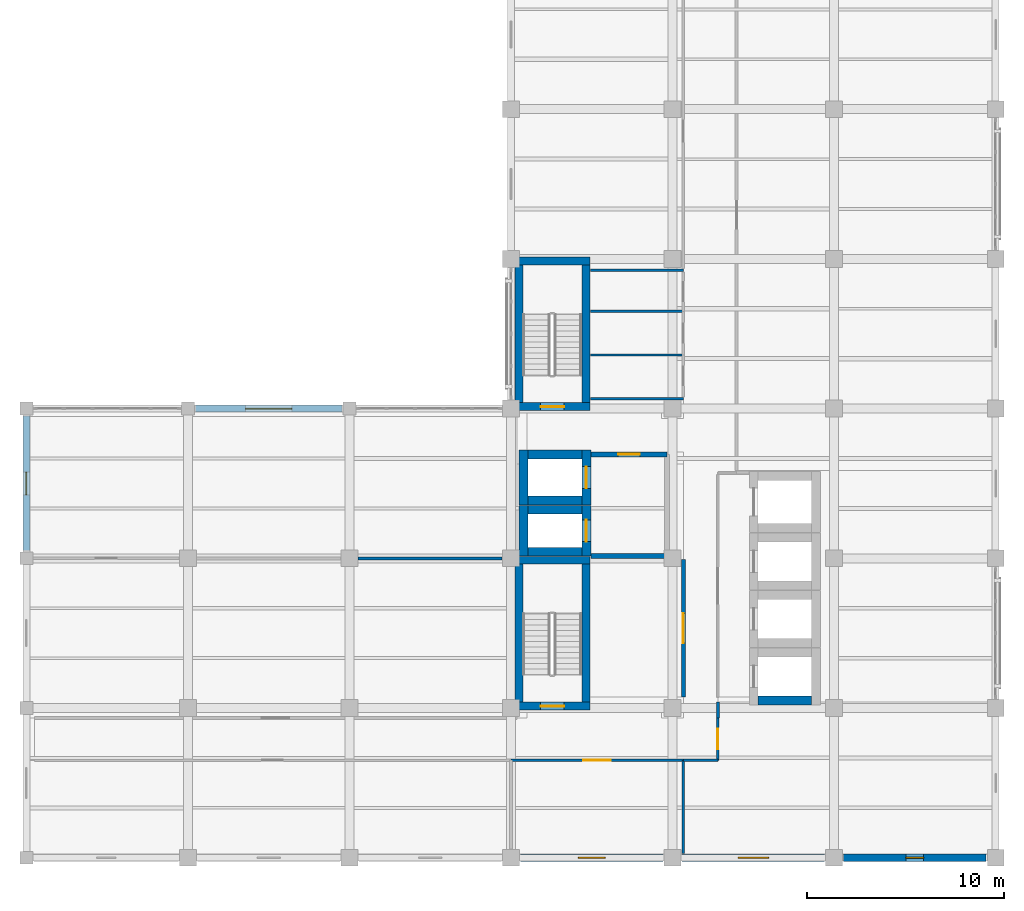
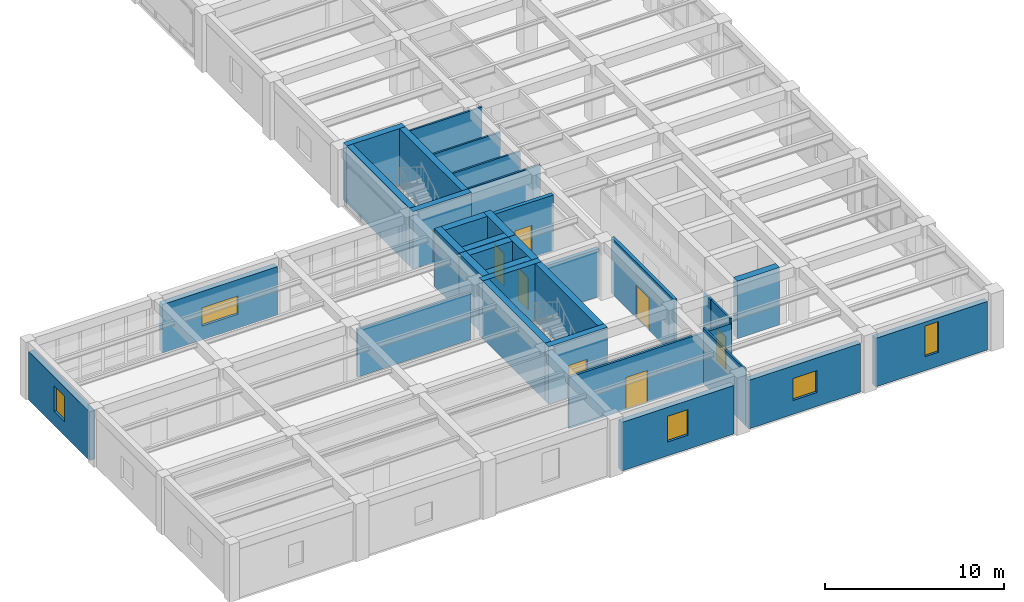
# One storey, part 9 of 16: 35 walls, 8 doors, 5 windows, 13 openings.
"""IFC4 building model written with IfcOpenShell, lengths in metres."""

from ifc_helpers import new_model, si_unit, direction, frame, frame_2d, origin, place, context, subcontext, project, spatial, rectangle, extrude, material, layer, layer_set, type_object, element, fill, save


model = new_model("IFC4")

# Units and contexts
model_context = context("Model", 3, precision=1e-05, world=origin(), true_north=direction((0.0, 1.0)))
body_context = subcontext(model_context, "Body", "Model", "MODEL_VIEW")
ifc_project = project(units=[si_unit("LENGTHUNIT", "METRE"), si_unit("AREAUNIT", "SQUARE_METRE"), si_unit("VOLUMEUNIT", "CUBIC_METRE"), si_unit("PLANEANGLEUNIT", "RADIAN"), si_unit("MASSUNIT", "GRAM", prefix="KILO")], contexts=[model_context])

# Site, building, storey
site_placement = place(None, origin())
site = spatial("IfcSite", under=ifc_project, at=site_placement, CompositionType="ELEMENT")
building_placement = place(site_placement, origin())
building = spatial("IfcBuilding", under=site, at=building_placement, Name="Qandaris Square Conservatory and Botanical Centre", CompositionType="ELEMENT")
storey_placement = place(building_placement, frame((0.0, 0.0, 24.0)))
storey = spatial("IfcBuildingStorey", under=building, at=storey_placement, Name="L05", CompositionType="ELEMENT", Elevation=24.0)

# Wall, opening, door
ifc_material_1 = material(Name="Gypsum Plasterboard", Category="gypsum")
ifc_layer_1 = layer(ifc_material_1, 0.14990234375)
ifc_layer_set_1 = layer_set([ifc_layer_1], Name="Gypsum Plasterboard")
wall_type_1 = type_object("IfcWallType", Name="Acoustic Laboratory Partition 150mm", PredefinedType="PARTITIONING", material=ifc_layer_set_1)
wall_1_placement = place(storey_placement, frame((147.949951171875, 21.550048828125, 0.0), z_axis=(0.0, 0.0, 1.0), x_axis=(-1.0, 0.0, 0.0)))
wall_1 = element("IfcWall", 1, at=wall_1_placement, inside=storey, type_object=wall_type_1, Name="Interior Partition IW-L05-0223", PredefinedType="PARTITIONING", context=body_context, shape_type="SweptSolid", body=[
    extrude(rectangle(XDim=8.75, YDim=0.14990234375, at=frame_2d((4.375, 0.0))), origin(), (0.0, 0.0, 1.0), 3.5048828125),
])
opening_1_placement = place(wall_1_placement, frame((3.675048828125, 0.0, 0.0)))
opening_1 = element("IfcOpeningElement", 2, at=opening_1_placement, cuts=wall_1, Name="Opening D-LAB1", PredefinedType="OPENING", context=body_context, shape_type="SweptSolid", body=[
    extrude(rectangle(XDim=1.39990234375, YDim=2.199951171875, at=frame_2d((0.699951171875, 1.10009765625))), frame((0.0, 0.0869140625, 0.0), z_axis=(0.0, -1.0, 0.0), x_axis=(1.0, 0.0, 0.0)), (0.0, 0.0, 1.0), 0.173828125),
])
ifc_material_2 = material(Name="Engineered Oak Timber", Category="wood")
door_type_1 = type_object("IfcDoorType", Name="Research Laboratory Leaf-and-Half Door 1400x2200", OperationType="DOUBLE_DOOR_SINGLE_SWING", PredefinedType="DOOR", material=ifc_material_2)
door_1_placement = place(opening_1_placement, frame((1.39990234375, 0.0, 0.0), z_axis=(0.0, 0.0, 1.0), x_axis=(-1.0, 0.0, 0.0)))
door_1 = element("IfcDoor", 3, at=door_1_placement, inside=storey, type_object=door_type_1, Name="DR-0200 Sabkha Ecology Suite Door", OperationType="DOUBLE_DOOR_SINGLE_SWING", OverallHeight=2.199951171875, OverallWidth=1.39990234375, PredefinedType="DOOR", context=body_context, shape_type="SweptSolid", body=[
    extrude(rectangle(XDim=1.39990234375, YDim=2.199951171875, at=frame_2d((0.699951171875, 1.10009765625))), frame((0.0, 0.02490234375, 0.0), z_axis=(0.0, -1.0, 0.0), x_axis=(1.0, 0.0, 0.0)), (0.0, 0.0, 1.0), 0.050048828125),
])
fill(opening_1, door_1)

# Walls
wall_2_placement = place(storey_placement, frame((149.699951171875, 24.5, 0.0), z_axis=(0.0, 0.0, 1.0), x_axis=(0.0, -1.0, 0.0)))
element("IfcWall", 4, at=wall_2_placement, inside=storey, type_object=wall_type_1, Name="Interior Partition IW-L05-0224", PredefinedType="PARTITIONING", context=body_context, shape_type="SweptSolid", body=[
    extrude(rectangle(XDim=0.800048828125, YDim=0.14990234375, at=frame_2d((0.39990234375, 0.0))), origin(), (0.0, 0.0, 1.0), 3.804931640625),
])
wall_3_placement = place(storey_placement, frame((149.699951171875, 21.550048828125, 0.0), z_axis=(0.0, 0.0, 1.0), x_axis=(-1.0, 0.0, 0.0)))
element("IfcWall", 5, at=wall_3_placement, inside=storey, type_object=wall_type_1, Name="Interior Partition IW-L05-0226", PredefinedType="PARTITIONING", context=body_context, shape_type="SweptSolid", body=[
    extrude(rectangle(XDim=1.75, YDim=0.14990234375, at=frame_2d((0.875, 0.0))), origin(), (0.0, 0.0, 1.0), 3.5048828125),
])
wall_4_placement = place(storey_placement, frame((131.445068359375, 31.800048828125, 0.0), z_axis=(0.0, 0.0, 1.0), x_axis=(1.0, 0.0, 0.0)))
element("IfcWall", 6, at=wall_4_placement, inside=storey, type_object=wall_type_1, Name="Interior Partition IW-L05-0240", PredefinedType="PARTITIONING", context=body_context, shape_type="SweptSolid", body=[
    extrude(rectangle(XDim=7.309814453125, YDim=0.14990234375, at=frame_2d((3.65478515625, 0.0))), origin(), (0.0, 0.0, 1.0), 3.264892578125),
])

# Wall, opening, window
ifc_material_3 = material(Name="Precast concrete C40/50", Category="concrete")
ifc_layer_2 = layer(ifc_material_3, 0.360107421875)
ifc_layer_set_2 = layer_set([ifc_layer_2], Name="Precast concrete C40/50")
wall_type_2 = type_object("IfcWallType", Name="Architectural Precast Cladding Wall 360mm", PredefinedType="SOLIDWALL", material=ifc_layer_set_2)
wall_5_placement = place(storey_placement, frame((139.68505859375, 16.60009765625, 0.0), z_axis=(0.0, 0.0, 1.0), x_axis=(1.0, 0.0, 0.0)))
wall_5 = element("IfcWall", 7, at=wall_5_placement, inside=storey, type_object=wall_type_2, Name="Exterior Wall EW-TWR-L05-1-4", PredefinedType="SOLIDWALL", context=body_context, shape_type="SweptSolid", body=[
    extrude(rectangle(XDim=7.22998046875, YDim=0.360107421875, at=frame_2d((3.614990234375, 0.0))), origin(), (0.0, 0.0, 1.0), 3.31494140625),
])
opening_2_placement = place(wall_5_placement, frame((2.93994140625, 0.0, 0.949951171875)))
opening_2 = element("IfcOpeningElement", 8, at=opening_2_placement, cuts=wall_5, Name="Opening WN-23", PredefinedType="OPENING", context=body_context, shape_type="SweptSolid", body=[
    extrude(rectangle(XDim=1.35009765625, YDim=1.75, at=frame_2d((0.675048828125, 0.875))), frame((0.0, 0.19189453125, 0.0), z_axis=(0.0, -1.0, 0.0), x_axis=(1.0, 0.0, 0.0)), (0.0, 0.0, 1.0), 0.384033203125),
])
ifc_material_4 = material(Name="Tempered Low-E Glass", Category="glass")
window_type_1 = type_object("IfcWindowType", Name="Solar Control Window 1350x1750", PartitioningType="SINGLE_PANEL", PredefinedType="WINDOW", material=ifc_material_4)
window_1_placement = place(opening_2_placement, origin())
window_1 = element("IfcWindow", 9, at=window_1_placement, inside=storey, type_object=window_type_1, Name="Window EW-TWR-L05-1-4", OverallHeight=1.75, OverallWidth=1.35009765625, PartitioningType="SINGLE_PANEL", PredefinedType="WINDOW", context=body_context, shape_type="SweptSolid", body=[
    extrude(rectangle(XDim=1.35009765625, YDim=1.75, at=frame_2d((0.675048828125, 0.875))), frame((0.0, 0.030029296875, 0.0), z_axis=(0.0, -1.0, 0.0), x_axis=(1.0, 0.0, 0.0)), (0.0, 0.0, 1.0), 0.06005859375),
])
fill(opening_2, window_1)

wall_6_placement = place(storey_placement, frame((147.885009765625, 16.60009765625, 0.0), z_axis=(0.0, 0.0, 1.0), x_axis=(1.0, 0.0, 0.0)))
wall_6 = element("IfcWall", 10, at=wall_6_placement, inside=storey, type_object=wall_type_2, Name="Exterior Wall EW-TWR-L05-1-5", PredefinedType="SOLIDWALL", context=body_context, shape_type="SweptSolid", body=[
    extrude(rectangle(XDim=7.22998046875, YDim=0.360107421875, at=frame_2d((3.614990234375, 0.0))), origin(), (0.0, 0.0, 1.0), 3.31494140625),
])
opening_3_placement = place(wall_6_placement, frame((2.840087890625, 0.0, 0.949951171875)))
opening_3 = element("IfcOpeningElement", 11, at=opening_3_placement, cuts=wall_6, Name="Opening WN-26", PredefinedType="OPENING", context=body_context, shape_type="SweptSolid", body=[
    extrude(rectangle(XDim=1.550048828125, YDim=1.5, at=frame_2d((0.77490234375, 0.75))), frame((0.0, 0.19189453125, 0.0), z_axis=(0.0, -1.0, 0.0), x_axis=(1.0, 0.0, 0.0)), (0.0, 0.0, 1.0), 0.384033203125),
])
window_type_2 = type_object("IfcWindowType", Name="Solar Control Window 1550x1500", PartitioningType="DOUBLE_PANEL_VERTICAL", PredefinedType="WINDOW", material=ifc_material_4)
window_2_placement = place(opening_3_placement, origin())
window_2 = element("IfcWindow", 12, at=window_2_placement, inside=storey, type_object=window_type_2, Name="Window EW-TWR-L05-1-5", OverallHeight=1.5, OverallWidth=1.550048828125, PartitioningType="DOUBLE_PANEL_VERTICAL", PredefinedType="WINDOW", context=body_context, shape_type="SweptSolid", body=[
    extrude(rectangle(XDim=1.550048828125, YDim=1.5, at=frame_2d((0.77490234375, 0.75))), frame((0.0, 0.030029296875, 0.0), z_axis=(0.0, -1.0, 0.0), x_axis=(1.0, 0.0, 0.0)), (0.0, 0.0, 1.0), 0.06005859375),
])
fill(opening_3, window_2)

wall_7_placement = place(storey_placement, frame((156.0849609375, 16.60009765625, 0.0), z_axis=(0.0, 0.0, 1.0), x_axis=(1.0, 0.0, 0.0)))
wall_7 = element("IfcWall", 13, at=wall_7_placement, inside=storey, type_object=wall_type_2, Name="Exterior Wall EW-TWR-L05-1-6", PredefinedType="SOLIDWALL", context=body_context, shape_type="SweptSolid", body=[
    extrude(rectangle(XDim=7.22998046875, YDim=0.360107421875, at=frame_2d((3.614990234375, 0.0))), origin(), (0.0, 0.0, 1.0), 3.31494140625),
])
opening_4_placement = place(wall_7_placement, frame((3.1650390625, 0.0, 0.949951171875)))
opening_4 = element("IfcOpeningElement", 14, at=opening_4_placement, cuts=wall_7, Name="Opening WN-01", PredefinedType="OPENING", context=body_context, shape_type="SweptSolid", body=[
    extrude(rectangle(XDim=0.89990234375, YDim=2.10009765625, at=frame_2d((0.449951171875, 1.050048828125))), frame((0.0, 0.19189453125, 0.0), z_axis=(0.0, -1.0, 0.0), x_axis=(1.0, 0.0, 0.0)), (0.0, 0.0, 1.0), 0.384033203125),
])
window_type_3 = type_object("IfcWindowType", Name="Deep-Set Solar Slot Window 900x2100", PartitioningType="SINGLE_PANEL", PredefinedType="WINDOW", material=ifc_material_4)
window_3_placement = place(opening_4_placement, origin())
window_3 = element("IfcWindow", 15, at=window_3_placement, inside=storey, type_object=window_type_3, Name="Window EW-TWR-L05-1-6", OverallHeight=2.10009765625, OverallWidth=0.89990234375, PartitioningType="SINGLE_PANEL", PredefinedType="WINDOW", context=body_context, shape_type="SweptSolid", body=[
    extrude(rectangle(XDim=0.89990234375, YDim=2.10009765625, at=frame_2d((0.449951171875, 1.050048828125))), frame((0.0, 0.030029296875, 0.0), z_axis=(0.0, -1.0, 0.0), x_axis=(1.0, 0.0, 0.0)), (0.0, 0.0, 1.0), 0.06005859375),
])
fill(opening_4, window_3)

wall_8_placement = place(storey_placement, frame((130.614990234375, 39.39990234375, 0.0), z_axis=(0.0, 0.0, 1.0), x_axis=(-1.0, 0.0, 0.0)))
wall_8 = element("IfcWall", 16, at=wall_8_placement, inside=storey, type_object=wall_type_2, Name="Exterior Wall EW-TWR-L05-5-2", PredefinedType="SOLIDWALL", context=body_context, shape_type="SweptSolid", body=[
    extrude(rectangle(XDim=7.429931640625, YDim=0.360107421875, at=frame_2d((3.71484375, 0.0))), origin(), (0.0, 0.0, 1.0), 3.31494140625),
])
opening_5_placement = place(wall_8_placement, frame((2.5400390625, 0.0, 0.949951171875)))
opening_5 = element("IfcOpeningElement", 17, at=opening_5_placement, cuts=wall_8, Name="Opening WN-37", PredefinedType="OPENING", context=body_context, shape_type="SweptSolid", body=[
    extrude(rectangle(XDim=2.35009765625, YDim=1.25, at=frame_2d((1.175048828125, 0.625))), frame((0.0, 0.19189453125, 0.0), z_axis=(0.0, -1.0, 0.0), x_axis=(1.0, 0.0, 0.0)), (0.0, 0.0, 1.0), 0.384033203125),
])
window_type_4 = type_object("IfcWindowType", Name="Solar Control Window 2350x1250", PartitioningType="DOUBLE_PANEL_VERTICAL", PredefinedType="WINDOW", material=ifc_material_4)
window_4_placement = place(opening_5_placement, origin())
window_4 = element("IfcWindow", 18, at=window_4_placement, inside=storey, type_object=window_type_4, Name="Window EW-TWR-L05-5-2", OverallHeight=1.25, OverallWidth=2.35009765625, PartitioningType="DOUBLE_PANEL_VERTICAL", PredefinedType="WINDOW", context=body_context, shape_type="SweptSolid", body=[
    extrude(rectangle(XDim=2.35009765625, YDim=1.25, at=frame_2d((1.175048828125, 0.625))), frame((0.0, 0.030029296875, 0.0), z_axis=(0.0, -1.0, 0.0), x_axis=(1.0, 0.0, 0.0)), (0.0, 0.0, 1.0), 0.06005859375),
])
fill(opening_5, window_4)

wall_9_placement = place(storey_placement, frame((114.60009765625, 39.014892578125, 0.0), z_axis=(0.0, 0.0, 1.0), x_axis=(0.0, -1.0, 0.0)))
wall_9 = element("IfcWall", 19, at=wall_9_placement, inside=storey, type_object=wall_type_2, Name="Exterior Wall EW-TWR-L05-6-1", PredefinedType="SOLIDWALL", context=body_context, shape_type="SweptSolid", body=[
    extrude(rectangle(XDim=6.829833984375, YDim=0.360107421875, at=frame_2d((3.4150390625, 0.0))), origin(), (0.0, 0.0, 1.0), 3.31494140625),
])
opening_6_placement = place(wall_9_placement, frame((2.840087890625, 0.0, 0.949951171875)))
opening_6 = element("IfcOpeningElement", 20, at=opening_6_placement, cuts=wall_9, Name="Opening WN-19", PredefinedType="OPENING", context=body_context, shape_type="SweptSolid", body=[
    extrude(rectangle(XDim=1.14990234375, YDim=1.75, at=frame_2d((0.574951171875, 0.875))), frame((0.0, 0.19189453125, 0.0), z_axis=(0.0, -1.0, 0.0), x_axis=(1.0, 0.0, 0.0)), (0.0, 0.0, 1.0), 0.384033203125),
])
window_type_5 = type_object("IfcWindowType", Name="Solar Control Window 1150x1750", PartitioningType="SINGLE_PANEL", PredefinedType="WINDOW", material=ifc_material_4)
window_5_placement = place(opening_6_placement, origin())
window_5 = element("IfcWindow", 21, at=window_5_placement, inside=storey, type_object=window_type_5, Name="Window EW-TWR-L05-6-1", OverallHeight=1.75, OverallWidth=1.14990234375, PartitioningType="SINGLE_PANEL", PredefinedType="WINDOW", context=body_context, shape_type="SweptSolid", body=[
    extrude(rectangle(XDim=1.14990234375, YDim=1.75, at=frame_2d((0.574951171875, 0.875))), frame((0.0, 0.030029296875, 0.0), z_axis=(0.0, -1.0, 0.0), x_axis=(1.0, 0.0, 0.0)), (0.0, 0.0, 1.0), 0.06005859375),
])
fill(opening_6, window_5)

# Wall, opening, door
ifc_material_5 = material(Name="Concrete C40/50", Category="concrete")
ifc_layer_3 = layer(ifc_material_5, 0.25)
ifc_layer_set_3 = layer_set([ifc_layer_3], Name="Concrete C40/50")
wall_type_3 = type_object("IfcWallType", Name="Firefighting Lobby Compartment Wall 250mm", PredefinedType="SOLIDWALL", material=ifc_layer_set_3)
wall_10_placement = place(storey_placement, frame((143.25, 37.074951171875, 0.0), z_axis=(0.0, 0.0, 1.0), x_axis=(1.0, 0.0, 0.0)))
wall_10 = element("IfcWall", 22, at=wall_10_placement, inside=storey, type_object=wall_type_3, Name="Firefighting Lobby Wall North (L05)", PredefinedType="SOLIDWALL", context=body_context, shape_type="SweptSolid", body=[
    extrude(rectangle(XDim=3.875, YDim=0.25, at=frame_2d((1.9375, 0.0))), origin(), (0.0, 0.0, 1.0), 3.804931640625),
])
opening_7_placement = place(wall_10_placement, frame((1.387451171875, 0.0, 0.0)))
opening_7 = element("IfcOpeningElement", 23, at=opening_7_placement, cuts=wall_10, Name="Opening D-FFL", PredefinedType="OPENING", context=body_context, shape_type="SweptSolid", body=[
    extrude(rectangle(XDim=1.10009765625, YDim=2.199951171875, at=frame_2d((0.550048828125, 1.10009765625))), frame((0.0, 0.136962890625, 0.0), z_axis=(0.0, -1.0, 0.0), x_axis=(1.0, 0.0, 0.0)), (0.0, 0.0, 1.0), 0.27392578125),
])
ifc_material_6 = material(Name="Steel S355", Category="steel")
door_type_2 = type_object("IfcDoorType", Name="Firefighting Lobby Smoke-Seal Door 1100x2200", OperationType="NOTDEFINED", PredefinedType="DOOR", material=ifc_material_6)
door_2_placement = place(opening_7_placement, origin())
door_2 = element("IfcDoor", 24, at=door_2_placement, inside=storey, type_object=door_type_2, Name="DR-0198 Firefighting Lobby Door (L05)", OperationType="SINGLE_SWING_RIGHT", OverallHeight=2.199951171875, OverallWidth=1.10009765625, PredefinedType="DOOR", context=body_context, shape_type="SweptSolid", body=[
    extrude(rectangle(XDim=1.10009765625, YDim=2.199951171875, at=frame_2d((0.550048828125, 1.10009765625))), frame((0.0, 0.02490234375, 0.0), z_axis=(0.0, -1.0, 0.0), x_axis=(1.0, 0.0, 0.0)), (0.0, 0.0, 1.0), 0.050048828125),
])
fill(opening_7, door_2)

# Wall
wall_11_placement = place(storey_placement, frame((143.25, 31.925048828125, 0.0), z_axis=(0.0, 0.0, 1.0), x_axis=(1.0, 0.0, 0.0)))
element("IfcWall", 25, at=wall_11_placement, inside=storey, type_object=wall_type_3, Name="Firefighting Lobby Wall South (L05)", PredefinedType="SOLIDWALL", context=body_context, shape_type="SweptSolid", body=[
    extrude(rectangle(XDim=3.875, YDim=0.25, at=frame_2d((1.9375, 0.0))), origin(), (0.0, 0.0, 1.0), 3.264892578125),
])

# Wall, opening, door
ifc_layer_4 = layer(ifc_material_5, 0.199951171875)
ifc_layer_set_4 = layer_set([ifc_layer_4], Name="Concrete C40/50")
wall_type_4 = type_object("IfcWallType", Name="Herbarium & Plant Compartment Wall 200mm", PredefinedType="PARTITIONING", material=ifc_layer_set_4)
wall_12_placement = place(storey_placement, frame((147.949951171875, 31.75, 0.0), z_axis=(0.0, 0.0, 1.0), x_axis=(0.0, -1.0, 0.0)))
wall_12 = element("IfcWall", 26, at=wall_12_placement, inside=storey, type_object=wall_type_4, Name="Interior Partition IW-L05-0213", PredefinedType="PARTITIONING", context=body_context, shape_type="SweptSolid", body=[
    extrude(rectangle(XDim=7.0, YDim=0.199951171875, at=frame_2d((3.5, 0.0))), origin(), (0.0, 0.0, 1.0), 3.804931640625),
])
opening_8_placement = place(wall_12_placement, frame((2.75, 0.0, 0.0)))
opening_8 = element("IfcOpeningElement", 27, at=opening_8_placement, cuts=wall_12, Name="Opening D-PLT1", PredefinedType="OPENING", context=body_context, shape_type="SweptSolid", body=[
    extrude(rectangle(XDim=1.5, YDim=2.199951171875, at=frame_2d((0.75, 1.10009765625))), frame((0.0, 0.11181640625, 0.0), z_axis=(0.0, -1.0, 0.0), x_axis=(1.0, 0.0, 0.0)), (0.0, 0.0, 1.0), 0.223876953125),
])
door_type_3 = type_object("IfcDoorType", Name="Plant & Riser Double Fire Door 1500x2200", OperationType="DOUBLE_DOOR_SINGLE_SWING", PredefinedType="DOOR", material=ifc_material_6)
door_3_placement = place(opening_8_placement, origin())
door_3 = element("IfcDoor", 28, at=door_3_placement, inside=storey, type_object=door_type_3, Name="DR-0209 Electrical and Telecom Riser Room L05 Door", OperationType="DOUBLE_DOOR_SINGLE_SWING", OverallHeight=2.199951171875, OverallWidth=1.5, PredefinedType="DOOR", context=body_context, shape_type="SweptSolid", body=[
    extrude(rectangle(XDim=1.5, YDim=2.199951171875, at=frame_2d((0.75, 1.10009765625))), frame((0.0, 0.02490234375, 0.0), z_axis=(0.0, -1.0, 0.0), x_axis=(1.0, 0.0, 0.0)), (0.0, 0.0, 1.0), 0.050048828125),
])
fill(opening_8, door_3)

# Walls
ifc_material_7 = material(Name="Concrete C50/60", Category="concrete")
ifc_layer_5 = layer(ifc_material_7, 0.449951171875)
ifc_layer_set_5 = layer_set([ifc_layer_5], Name="Concrete C50/60")
wall_type_5 = type_object("IfcWallType", Name="RC Coupled Core Shear Wall 450mm", PredefinedType="SHEAR", material=ifc_layer_set_5)
for number, where, z_axis, x_axis, name in (
    (29, (140.06005859375, 32.135009765625, 0.0), (0.0, 0.0, 1.0), (1.0, 0.0, 0.0), "Lift FFL1 Shaft Wall South (L05)"),
    (30, (140.06005859375, 34.264892578125, 0.0), (0.0, 0.0, 1.0), (1.0, 0.0, 0.0), "Lift FFL1 Shaft Wall North (L05)"),
):
    element("IfcWall", number, at=place(storey_placement, frame(where, z_axis=z_axis, x_axis=x_axis)), inside=storey, type_object=wall_type_5, Name=name, PredefinedType="SHEAR", context=body_context, shape_type="SweptSolid", body=[
        extrude(rectangle(XDim=2.739990234375, YDim=0.449951171875, at=frame_2d((1.3701171875, 0.0))), origin(), (0.0, 0.0, 1.0), 3.929931640625),
    ])
wall_13_placement = place(storey_placement, frame((139.8349609375, 31.909912109375, 0.0), z_axis=(0.0, 0.0, 1.0), x_axis=(0.0, 1.0, 0.0)))
element("IfcWall", 31, at=wall_13_placement, inside=storey, type_object=wall_type_5, Name="Lift FFL1 Shaft Wall West (L05)", PredefinedType="SHEAR", context=body_context, shape_type="SweptSolid", body=[
    extrude(rectangle(XDim=2.580078125, YDim=0.449951171875, at=frame_2d((1.2900390625, 0.0))), origin(), (0.0, 0.0, 1.0), 3.929931640625),
])

# Wall, opening, door
wall_14_placement = place(storey_placement, frame((143.02490234375, 31.909912109375, 0.0), z_axis=(0.0, 0.0, 1.0), x_axis=(0.0, 1.0, 0.0)))
wall_14 = element("IfcWall", 32, at=wall_14_placement, inside=storey, type_object=wall_type_5, Name="Lift FFL1 Shaft Wall East (L05)", PredefinedType="SHEAR", context=body_context, shape_type="SweptSolid", body=[
    extrude(rectangle(XDim=2.580078125, YDim=0.449951171875, at=frame_2d((1.2900390625, 0.0))), origin(), (0.0, 0.0, 1.0), 3.929931640625),
])
opening_9_placement = place(wall_14_placement, frame((0.739990234375, 0.0, 0.0)))
opening_9 = element("IfcOpeningElement", 33, at=opening_9_placement, cuts=wall_14, Name="Opening LD-FFL", PredefinedType="OPENING", context=body_context, shape_type="SweptSolid", body=[
    extrude(rectangle(XDim=1.10009765625, YDim=2.199951171875, at=frame_2d((0.550048828125, 1.10009765625))), frame((0.0, 0.23681640625, 0.0), z_axis=(0.0, -1.0, 0.0), x_axis=(1.0, 0.0, 0.0)), (0.0, 0.0, 1.0), 0.473876953125),
])
door_type_4 = type_object("IfcDoorType", Name="Firefighting Lift Sliding Landing Door 1100x2200", OperationType="DOUBLE_DOOR_SLIDING", PredefinedType="DOOR", material=ifc_material_6)
door_4_placement = place(opening_9_placement, origin())
door_4 = element("IfcDoor", 34, at=door_4_placement, inside=storey, type_object=door_type_4, Name="DR-0216 Lift FFL1 Landing Door (L05)", OperationType="DOUBLE_DOOR_SLIDING", OverallHeight=2.199951171875, OverallWidth=1.10009765625, PredefinedType="DOOR", context=body_context, shape_type="SweptSolid", body=[
    extrude(rectangle(XDim=1.10009765625, YDim=2.199951171875, at=frame_2d((0.550048828125, 1.10009765625))), frame((0.0, 0.02490234375, 0.0), z_axis=(0.0, -1.0, 0.0), x_axis=(1.0, 0.0, 0.0)), (0.0, 0.0, 1.0), 0.050048828125),
])
fill(opening_9, door_4)

# Walls
for number, where, z_axis, x_axis, name in (
    (35, (140.06005859375, 34.735107421875, 0.0), (0.0, 0.0, 1.0), (1.0, 0.0, 0.0), "Lift FFL2 Shaft Wall South (L05)"),
    (36, (140.06005859375, 37.06494140625, 0.0), (0.0, 0.0, 1.0), (1.0, 0.0, 0.0), "Lift FFL2 Shaft Wall North (L05)"),
):
    element("IfcWall", number, at=place(storey_placement, frame(where, z_axis=z_axis, x_axis=x_axis)), inside=storey, type_object=wall_type_5, Name=name, PredefinedType="SHEAR", context=body_context, shape_type="SweptSolid", body=[
        extrude(rectangle(XDim=2.739990234375, YDim=0.449951171875, at=frame_2d((1.3701171875, 0.0))), origin(), (0.0, 0.0, 1.0), 3.929931640625),
    ])
wall_15_placement = place(storey_placement, frame((139.8349609375, 34.510009765625, 0.0), z_axis=(0.0, 0.0, 1.0), x_axis=(0.0, 1.0, 0.0)))
element("IfcWall", 37, at=wall_15_placement, inside=storey, type_object=wall_type_5, Name="Lift FFL2 Shaft Wall West (L05)", PredefinedType="SHEAR", context=body_context, shape_type="SweptSolid", body=[
    extrude(rectangle(XDim=2.780029296875, YDim=0.449951171875, at=frame_2d((1.39013671875, 0.0))), origin(), (0.0, 0.0, 1.0), 3.929931640625),
])

# Wall, opening, door
wall_16_placement = place(storey_placement, frame((143.02490234375, 34.510009765625, 0.0), z_axis=(0.0, 0.0, 1.0), x_axis=(0.0, 1.0, 0.0)))
wall_16 = element("IfcWall", 38, at=wall_16_placement, inside=storey, type_object=wall_type_5, Name="Lift FFL2 Shaft Wall East (L05)", PredefinedType="SHEAR", context=body_context, shape_type="SweptSolid", body=[
    extrude(rectangle(XDim=2.780029296875, YDim=0.449951171875, at=frame_2d((1.39013671875, 0.0))), origin(), (0.0, 0.0, 1.0), 3.929931640625),
])
opening_10_placement = place(wall_16_placement, frame((0.840087890625, 0.0, 0.0)))
opening_10 = element("IfcOpeningElement", 39, at=opening_10_placement, cuts=wall_16, Name="Opening LD-FFL", PredefinedType="OPENING", context=body_context, shape_type="SweptSolid", body=[
    extrude(rectangle(XDim=1.10009765625, YDim=2.199951171875, at=frame_2d((0.550048828125, 1.10009765625))), frame((0.0, 0.23681640625, 0.0), z_axis=(0.0, -1.0, 0.0), x_axis=(1.0, 0.0, 0.0)), (0.0, 0.0, 1.0), 0.473876953125),
])
door_5_placement = place(opening_10_placement, origin())
door_5 = element("IfcDoor", 40, at=door_5_placement, inside=storey, type_object=door_type_4, Name="DR-0217 Lift FFL2 Landing Door (L05)", OperationType="DOUBLE_DOOR_SLIDING", OverallHeight=2.199951171875, OverallWidth=1.10009765625, PredefinedType="DOOR", context=body_context, shape_type="SweptSolid", body=[
    extrude(rectangle(XDim=1.10009765625, YDim=2.199951171875, at=frame_2d((0.550048828125, 1.10009765625))), frame((0.0, 0.02490234375, 0.0), z_axis=(0.0, -1.0, 0.0), x_axis=(1.0, 0.0, 0.0)), (0.0, 0.0, 1.0), 0.050048828125),
])
fill(opening_10, door_5)

# Wall
wall_17_placement = place(storey_placement, frame((151.75, 24.574951171875, 0.0), z_axis=(0.0, 0.0, 1.0), x_axis=(1.0, 0.0, 0.0)))
element("IfcWall", 41, at=wall_17_placement, inside=storey, type_object=wall_type_5, Name="Lift PL1 Shaft Wall South (L05)", PredefinedType="SHEAR", context=body_context, shape_type="SweptSolid", body=[
    extrude(rectangle(XDim=2.699951171875, YDim=0.449951171875, at=frame_2d((1.35009765625, 0.0))), origin(), (0.0, 0.0, 1.0), 3.929931640625),
])

# Wall, opening, door
ifc_layer_6 = layer(ifc_material_7, 0.39990234375)
ifc_layer_set_6 = layer_set([ifc_layer_6], Name="Concrete C50/60")
wall_type_6 = type_object("IfcWallType", Name="RC Stair Core Shear Wall 400mm", PredefinedType="SHEAR", material=ifc_layer_set_6)
wall_18_placement = place(storey_placement, frame((139.39990234375, 24.300048828125, 0.0), z_axis=(0.0, 0.0, 1.0), x_axis=(1.0, 0.0, 0.0)))
wall_18 = element("IfcWall", 42, at=wall_18_placement, inside=storey, type_object=wall_type_6, Name="ST-1 Core Shear Wall South (L05)", PredefinedType="SHEAR", context=body_context, shape_type="SweptSolid", body=[
    extrude(rectangle(XDim=3.800048828125, YDim=0.39990234375, at=frame_2d((1.89990234375, 0.0))), origin(), (0.0, 0.0, 1.0), 3.929931640625),
])
opening_11_placement = place(wall_18_placement, frame((1.300048828125, 0.0, 0.0)))
opening_11 = element("IfcOpeningElement", 43, at=opening_11_placement, cuts=wall_18, Name="Opening D-ST1", PredefinedType="OPENING", context=body_context, shape_type="SweptSolid", body=[
    extrude(rectangle(XDim=1.199951171875, YDim=2.199951171875, at=frame_2d((0.60009765625, 1.10009765625))), frame((0.0, 0.2119140625, 0.0), z_axis=(0.0, -1.0, 0.0), x_axis=(1.0, 0.0, 0.0)), (0.0, 0.0, 1.0), 0.423828125),
])
door_type_5 = type_object("IfcDoorType", Name="Exit Stair Core Fire Door 1200x2200", OperationType="NOTDEFINED", PredefinedType="DOOR", material=ifc_material_6)
door_6_placement = place(opening_11_placement, origin())
door_6 = element("IfcDoor", 44, at=door_6_placement, inside=storey, type_object=door_type_5, Name="DR-0210 ST-1 Stair Core Door (L05)", OperationType="SINGLE_SWING_LEFT", OverallHeight=2.199951171875, OverallWidth=1.199951171875, PredefinedType="DOOR", context=body_context, shape_type="SweptSolid", body=[
    extrude(rectangle(XDim=1.199951171875, YDim=2.199951171875, at=frame_2d((0.60009765625, 1.10009765625))), frame((0.0, 0.02490234375, 0.0), z_axis=(0.0, -1.0, 0.0), x_axis=(1.0, 0.0, 0.0)), (0.0, 0.0, 1.0), 0.050048828125),
])
fill(opening_11, door_6)

# Walls
wall_19_placement = place(storey_placement, frame((139.39990234375, 31.699951171875, 0.0), z_axis=(0.0, 0.0, 1.0), x_axis=(1.0, 0.0, 0.0)))
element("IfcWall", 45, at=wall_19_placement, inside=storey, type_object=wall_type_6, Name="ST-1 Core Shear Wall North (L05)", PredefinedType="SHEAR", context=body_context, shape_type="SweptSolid", body=[
    extrude(rectangle(XDim=3.800048828125, YDim=0.39990234375, at=frame_2d((1.89990234375, 0.0))), origin(), (0.0, 0.0, 1.0), 3.929931640625),
])
for number, where, z_axis, x_axis, name in (
    (46, (139.60009765625, 24.5, 0.0), (0.0, 0.0, 1.0), (0.0, 1.0, 0.0), "ST-1 Core Shear Wall West (L05)"),
    (47, (143.0, 24.5, 0.0), (0.0, 0.0, 1.0), (0.0, 1.0, 0.0), "ST-1 Core Shear Wall East (L05)"),
):
    element("IfcWall", number, at=place(storey_placement, frame(where, z_axis=z_axis, x_axis=x_axis)), inside=storey, type_object=wall_type_6, Name=name, PredefinedType="SHEAR", context=body_context, shape_type="SweptSolid", body=[
        extrude(rectangle(XDim=7.0, YDim=0.39990234375, at=frame_2d((3.5, 0.0))), origin(), (0.0, 0.0, 1.0), 3.929931640625),
    ])

# Wall, opening, door
wall_20_placement = place(storey_placement, frame((139.39990234375, 39.5, 0.0), z_axis=(0.0, 0.0, 1.0), x_axis=(1.0, 0.0, 0.0)))
wall_20 = element("IfcWall", 48, at=wall_20_placement, inside=storey, type_object=wall_type_6, Name="ST-2 Core Shear Wall South (L05)", PredefinedType="SHEAR", context=body_context, shape_type="SweptSolid", body=[
    extrude(rectangle(XDim=3.800048828125, YDim=0.39990234375, at=frame_2d((1.89990234375, 0.0))), origin(), (0.0, 0.0, 1.0), 3.929931640625),
])
opening_12_placement = place(wall_20_placement, frame((1.300048828125, 0.0, 0.0)))
opening_12 = element("IfcOpeningElement", 49, at=opening_12_placement, cuts=wall_20, Name="Opening D-ST1", PredefinedType="OPENING", context=body_context, shape_type="SweptSolid", body=[
    extrude(rectangle(XDim=1.199951171875, YDim=2.199951171875, at=frame_2d((0.60009765625, 1.10009765625))), frame((0.0, 0.2119140625, 0.0), z_axis=(0.0, -1.0, 0.0), x_axis=(1.0, 0.0, 0.0)), (0.0, 0.0, 1.0), 0.423828125),
])
door_7_placement = place(opening_12_placement, origin())
door_7 = element("IfcDoor", 50, at=door_7_placement, inside=storey, type_object=door_type_5, Name="DR-0211 ST-2 Stair Core Door (L05)", OperationType="SINGLE_SWING_LEFT", OverallHeight=2.199951171875, OverallWidth=1.199951171875, PredefinedType="DOOR", context=body_context, shape_type="SweptSolid", body=[
    extrude(rectangle(XDim=1.199951171875, YDim=2.199951171875, at=frame_2d((0.60009765625, 1.10009765625))), frame((0.0, 0.02490234375, 0.0), z_axis=(0.0, -1.0, 0.0), x_axis=(1.0, 0.0, 0.0)), (0.0, 0.0, 1.0), 0.050048828125),
])
fill(opening_12, door_7)

# Walls
wall_21_placement = place(storey_placement, frame((139.39990234375, 46.89990234375, 0.0), z_axis=(0.0, 0.0, 1.0), x_axis=(1.0, 0.0, 0.0)))
element("IfcWall", 51, at=wall_21_placement, inside=storey, type_object=wall_type_6, Name="ST-2 Core Shear Wall North (L05)", PredefinedType="SHEAR", context=body_context, shape_type="SweptSolid", body=[
    extrude(rectangle(XDim=3.800048828125, YDim=0.39990234375, at=frame_2d((1.89990234375, 0.0))), origin(), (0.0, 0.0, 1.0), 3.929931640625),
])
for number, where, z_axis, x_axis, name in (
    (52, (139.60009765625, 39.699951171875, 0.0), (0.0, 0.0, 1.0), (0.0, 1.0, 0.0), "ST-2 Core Shear Wall West (L05)"),
    (53, (143.0, 39.699951171875, 0.0), (0.0, 0.0, 1.0), (0.0, 1.0, 0.0), "ST-2 Core Shear Wall East (L05)"),
):
    element("IfcWall", number, at=place(storey_placement, frame(where, z_axis=z_axis, x_axis=x_axis)), inside=storey, type_object=wall_type_6, Name=name, PredefinedType="SHEAR", context=body_context, shape_type="SweptSolid", body=[
        extrude(rectangle(XDim=7.0, YDim=0.39990234375, at=frame_2d((3.5, 0.0))), origin(), (0.0, 0.0, 1.0), 3.929931640625),
    ])
ifc_layer_7 = layer(ifc_material_1, 0.1201171875)
ifc_layer_set_7 = layer_set([ifc_layer_7], Name="Gypsum Plasterboard")
wall_type_7 = type_object("IfcWallType", Name="Standard Research Partition 120mm", PredefinedType="PARTITIONING", material=ifc_layer_set_7)
for number, where, z_axis, x_axis, name in (
    (54, (143.22998046875, 39.89990234375, 0.0), (0.0, 0.0, 1.0), (1.0, 0.0, 0.0), "Sanitary Toilet Partition Wall WCW-L05-SOUTH1"),
    (55, (143.22998046875, 46.419921875, 0.0), (0.0, 0.0, 1.0), (1.0, 0.0, 0.0), "Sanitary Toilet Partition Wall WCW-L05-NORTH1"),
):
    element("IfcWall", number, at=place(storey_placement, frame(where, z_axis=z_axis, x_axis=x_axis)), inside=storey, type_object=wall_type_7, Name=name, PredefinedType="PARTITIONING", context=body_context, shape_type="SweptSolid", body=[
        extrude(rectangle(XDim=4.719970703125, YDim=0.1201171875, at=frame_2d((2.35986328125, 0.0))), origin(), (0.0, 0.0, 1.0), 3.804931640625),
    ])
wall_22_placement = place(storey_placement, frame((143.22998046875, 42.1201171875, 0.0), z_axis=(0.0, 0.0, 1.0), x_axis=(1.0, 0.0, 0.0)))
element("IfcWall", 56, at=wall_22_placement, inside=storey, type_object=wall_type_7, Name="Interior Partition IW-L05-0217", PredefinedType="PARTITIONING", context=body_context, shape_type="SweptSolid", body=[
    extrude(rectangle(XDim=4.719970703125, YDim=0.1201171875, at=frame_2d((2.35986328125, 0.0))), origin(), (0.0, 0.0, 1.0), 3.405029296875),
])
wall_23_placement = place(storey_placement, frame((143.22998046875, 44.340087890625, 0.0), z_axis=(0.0, 0.0, 1.0), x_axis=(1.0, 0.0, 0.0)))
element("IfcWall", 57, at=wall_23_placement, inside=storey, type_object=wall_type_7, Name="Interior Partition IW-L05-0219", PredefinedType="PARTITIONING", context=body_context, shape_type="SweptSolid", body=[
    extrude(rectangle(XDim=4.719970703125, YDim=0.1201171875, at=frame_2d((2.35986328125, 0.0))), origin(), (0.0, 0.0, 1.0), 3.35498046875),
])

# Wall, opening, door
wall_24_placement = place(storey_placement, frame((149.699951171875, 23.699951171875, 0.0), z_axis=(0.0, 0.0, 1.0), x_axis=(0.0, -1.0, 0.0)))
wall_24 = element("IfcWall", 58, at=wall_24_placement, inside=storey, type_object=wall_type_7, Name="Interior Partition IW-L05-0225", PredefinedType="PARTITIONING", context=body_context, shape_type="SweptSolid", body=[
    extrude(rectangle(XDim=2.14990234375, YDim=0.1201171875, at=frame_2d((1.074951171875, 0.0))), origin(), (0.0, 0.0, 1.0), 3.804931640625),
])
opening_13_placement = place(wall_24_placement, frame((0.550048828125, 0.0, 0.0)))
opening_13 = element("IfcOpeningElement", 59, at=opening_13_placement, cuts=wall_24, Name="Opening D-LAB2", PredefinedType="OPENING", context=body_context, shape_type="SweptSolid", body=[
    extrude(rectangle(XDim=1.050048828125, YDim=2.199951171875, at=frame_2d((0.52490234375, 1.10009765625))), frame((0.0, 0.072021484375, 0.0), z_axis=(0.0, -1.0, 0.0), x_axis=(1.0, 0.0, 0.0)), (0.0, 0.0, 1.0), 0.14404296875),
])
door_type_6 = type_object("IfcDoorType", Name="Analytical Laboratory Single Door 1050x2200", OperationType="NOTDEFINED", PredefinedType="DOOR", material=ifc_material_2)
door_8_placement = place(opening_13_placement, origin())
door_8 = element("IfcDoor", 60, at=door_8_placement, inside=storey, type_object=door_type_6, Name="DR-0204 Floor L05 Instrument and Balance Room Door", OperationType="SINGLE_SWING_RIGHT", OverallHeight=2.199951171875, OverallWidth=1.050048828125, PredefinedType="DOOR", context=body_context, shape_type="SweptSolid", body=[
    extrude(rectangle(XDim=1.050048828125, YDim=2.199951171875, at=frame_2d((0.52490234375, 1.10009765625))), frame((0.0, 0.02490234375, 0.0), z_axis=(0.0, -1.0, 0.0), x_axis=(1.0, 0.0, 0.0)), (0.0, 0.0, 1.0), 0.050048828125),
])
fill(opening_13, door_8)

# Wall
wall_25_placement = place(storey_placement, frame((147.949951171875, 21.550048828125, 0.0), z_axis=(0.0, 0.0, 1.0), x_axis=(0.0, -1.0, 0.0)))
element("IfcWall", 61, at=wall_25_placement, inside=storey, type_object=wall_type_7, Name="Interior Partition IW-L05-0234", PredefinedType="PARTITIONING", context=body_context, shape_type="SweptSolid", body=[
    extrude(rectangle(XDim=4.739990234375, YDim=0.1201171875, at=frame_2d((2.3701171875, 0.0))), origin(), (0.0, 0.0, 1.0), 3.804931640625),
])

save(model, "model.ifc")
